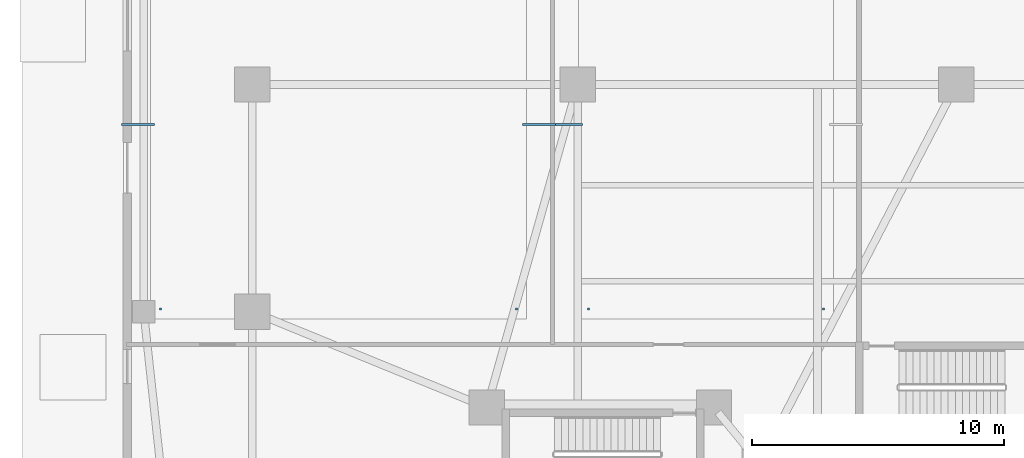
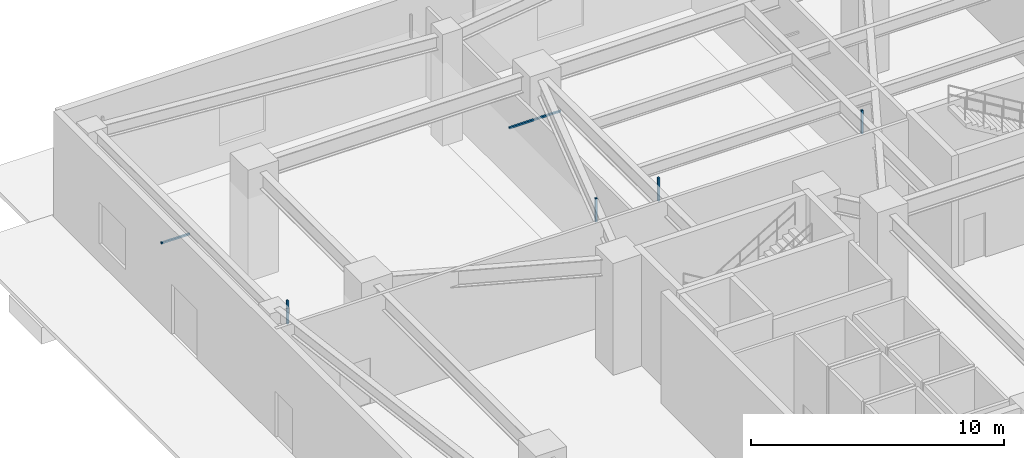
# One storey, part 8 of 18: 7 discrete accessories.
"""IFC4 building model written with IfcOpenShell, lengths in metres."""

from ifc_helpers import new_model, si_unit, direction, frame, origin, origin_2d, place, context, subcontext, project, spatial, rectangle, extrude, material, type_object, element, save


model = new_model("IFC4")

# Units and contexts
model_context = context("Model", 3, precision=1e-05, world=origin(), true_north=direction((0.0, 1.0)))
body_context = subcontext(model_context, "Body", "Model", "MODEL_VIEW")
ifc_project = project(units=[si_unit("LENGTHUNIT", "METRE"), si_unit("AREAUNIT", "SQUARE_METRE"), si_unit("VOLUMEUNIT", "CUBIC_METRE"), si_unit("PLANEANGLEUNIT", "RADIAN"), si_unit("MASSUNIT", "GRAM", prefix="KILO")], contexts=[model_context])

# Site, building, storey
site_placement = place(None, origin())
site = spatial("IfcSite", under=ifc_project, at=site_placement, CompositionType="ELEMENT")
building_placement = place(site_placement, origin())
building = spatial("IfcBuilding", under=site, at=building_placement, Name="Tarnavaz Court Tower", CompositionType="ELEMENT")
storey_placement = place(building_placement, origin())
storey = spatial("IfcBuildingStorey", under=building, at=storey_placement, Name="L00", CompositionType="ELEMENT", Elevation=0.0)

# Discrete accessories
ifc_material = material(Name="Anodised Aluminium 6063-T6", Category="aluminium")
discrete_accessory_type = type_object("IfcDiscreteAccessoryType", Name="DA-BRKT-ALU", PredefinedType="BRACKET", material=ifc_material)
for number, where, z_axis, x_axis, name in (
    (1, (-31.530029296875, 13.89990234375, 3.990234375), (0.0, 0.0, 1.0), (1.0, 0.0, 0.0), "L00 Ceiling Suspension Hanger Bracket 01-1"),
    (2, (-17.429931640625, 13.89990234375, 3.990234375), (0.0, 0.0, 1.0), (1.0, 0.0, 0.0), "L00 Ceiling Suspension Hanger Bracket 01-2"),
):
    element("IfcDiscreteAccessory", number, at=place(storey_placement, frame(where, z_axis=z_axis, x_axis=x_axis)), inside=storey, type_object=discrete_accessory_type, Name=name, PredefinedType="BRACKET", context=body_context, shape_type="SweptSolid", body=[
        extrude(rectangle(XDim=0.080078125, YDim=0.080078125, at=origin_2d()), origin(), (0.0, 0.0, 1.0), 1.139892578125),
    ])
for number, where, z_axis, x_axis, name in (
    (3, (-32.429931640625, 21.215087890625, 3.952392578125), (0.0, 0.0, 1.0), (1.0, 0.0, 0.0), "L00 Ceiling Perimeter Wall-Tie Bracket 01-1"),
    (4, (-16.530029296875, 21.215087890625, 3.952392578125), (0.0, 0.0, 1.0), (1.0, 0.0, 0.0), "L00 Ceiling Perimeter Wall-Tie Bracket 01-2"),
):
    element("IfcDiscreteAccessory", number, at=place(storey_placement, frame(where, z_axis=z_axis, x_axis=x_axis)), inside=storey, type_object=discrete_accessory_type, Name=name, PredefinedType="BRACKET", context=body_context, shape_type="SweptSolid", body=[
        extrude(rectangle(XDim=1.300048828125, YDim=0.080078125, at=origin_2d()), origin(), (0.0, 0.0, 1.0), 0.080078125),
    ])
for number, where, z_axis, x_axis, name in (
    (5, (-14.570068359375, 13.89990234375, 3.990234375), (0.0, 0.0, 1.0), (1.0, 0.0, 0.0), "L00 Ceiling Suspension Hanger Bracket 02-1"),
    (6, (-5.27001953125, 13.89990234375, 3.990234375), (0.0, 0.0, 1.0), (1.0, 0.0, 0.0), "L00 Ceiling Suspension Hanger Bracket 02-2"),
):
    element("IfcDiscreteAccessory", number, at=place(storey_placement, frame(where, z_axis=z_axis, x_axis=x_axis)), inside=storey, type_object=discrete_accessory_type, Name=name, PredefinedType="BRACKET", context=body_context, shape_type="SweptSolid", body=[
        extrude(rectangle(XDim=0.080078125, YDim=0.080078125, at=origin_2d()), origin(), (0.0, 0.0, 1.0), 1.139892578125),
    ])
discrete_accessory_placement = place(storey_placement, frame((-15.469970703125, 21.215087890625, 3.952392578125), z_axis=(0.0, 0.0, 1.0), x_axis=(1.0, 0.0, 0.0)))
element("IfcDiscreteAccessory", 7, at=discrete_accessory_placement, inside=storey, type_object=discrete_accessory_type, Name="L00 Ceiling Perimeter Wall-Tie Bracket 02-1", PredefinedType="BRACKET", context=body_context, shape_type="SweptSolid", body=[
    extrude(rectangle(XDim=1.300048828125, YDim=0.080078125, at=origin_2d()), origin(), (0.0, 0.0, 1.0), 0.080078125),
])

save(model, "model.ifc")
